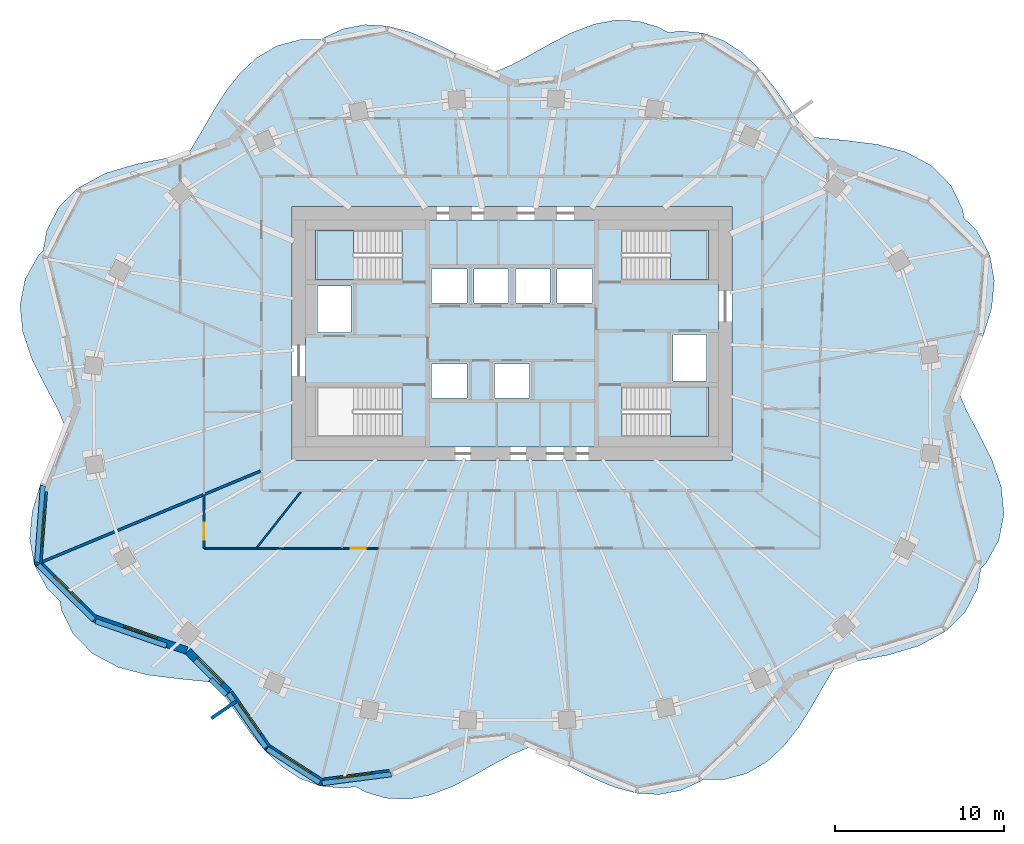
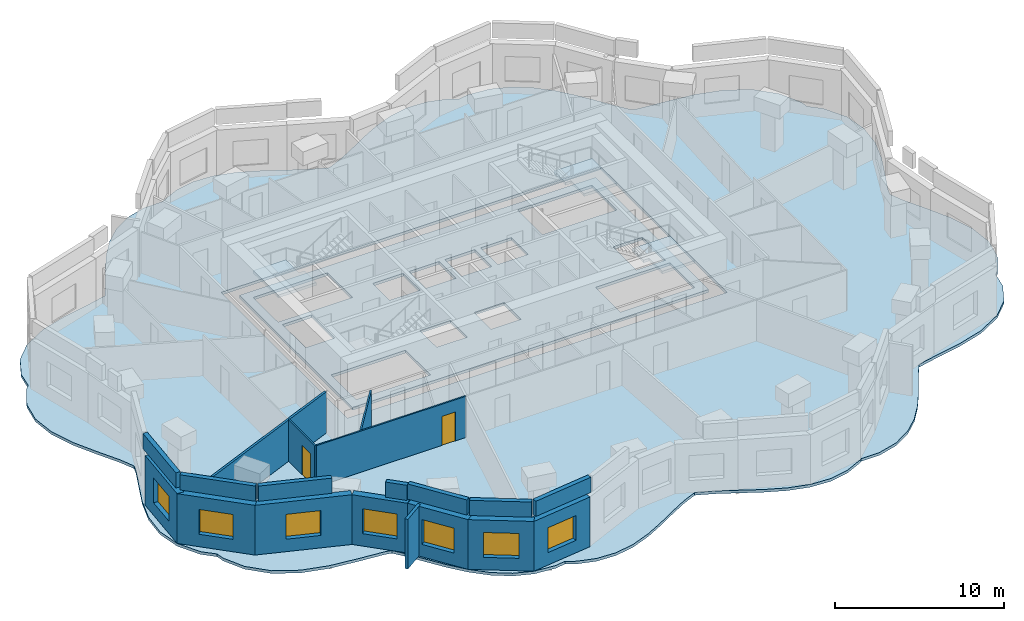
# One storey, part 3 of 11: 19 walls, 7 windows, 5 slabs, 2 doors, 9 openings, 3 elements without a shape of their own.
"""IFC4 building model written with IfcOpenShell, lengths in metres."""

from ifc_helpers import new_model, si_unit, direction, frame, frame_2d, origin, place, context, subcontext, project, spatial, polyline, rectangle, outline, extrude, material, layer, layer_set, type_object, element, fill, aggregate, save


model = new_model("IFC4")

# Units and contexts
model_context = context("Model", 3, precision=1e-05, world=origin(), true_north=direction((0.0, 1.0)))
body_context = subcontext(model_context, "Body", "Model", "MODEL_VIEW")
ifc_project = project(units=[si_unit("LENGTHUNIT", "METRE"), si_unit("AREAUNIT", "SQUARE_METRE"), si_unit("VOLUMEUNIT", "CUBIC_METRE"), si_unit("PLANEANGLEUNIT", "RADIAN"), si_unit("MASSUNIT", "GRAM", prefix="KILO")], contexts=[model_context])

# Site, building, storey
site_placement = place(None, origin())
site = spatial("IfcSite", under=ifc_project, at=site_placement, CompositionType="ELEMENT")
building_placement = place(site_placement, origin())
building = spatial("IfcBuilding", under=site, at=building_placement, Name="Rubra Terraces Tower", CompositionType="ELEMENT")
storey_placement = place(building_placement, frame((0.0, 0.0, 260.39990234375)))
storey = spatial("IfcBuildingStorey", under=building, at=storey_placement, Name="L64", CompositionType="ELEMENT", Elevation=260.39990234375)

# Slab
ifc_material_1 = material(Name="Concrete C40", Category="concrete")
ifc_layer_1 = layer(ifc_material_1, 0.199951171875)
ifc_layer_set_1 = layer_set([ifc_layer_1], Name="Concrete C40")
slab_type_1 = type_object("IfcSlabType", Name="Core floor slab 200 concrete", PredefinedType="FLOOR", material=ifc_layer_set_1)
slab_1_placement = place(storey_placement, frame((0.0, 0.0, -0.199951171875)))
element("IfcSlab", 1, at=slab_1_placement, inside=storey, type_object=slab_type_1, Name="CORE FLOOR SLAB L64", PredefinedType="FLOOR", context=body_context, shape_type="SweptSolid", body=[
    extrude(outline(polyline([(-12.199951171875, -2.199951171875), (-12.199951171875, 11.199951171875), (12.199951171875, 11.199951171875), (12.199951171875, -2.199951171875), (-12.199951171875, -2.199951171875)]), holes=[polyline([(11.597900390625, 1.347900390625), (6.501953125, 1.347900390625), (6.501953125, -1.597900390625), (11.597900390625, -1.597900390625), (11.597900390625, 1.347900390625)]), polyline([(11.597900390625, 7.652099609375), (11.597900390625, 10.597900390625), (6.501953125, 10.597900390625), (6.501953125, 7.652099609375), (11.597900390625, 7.652099609375)]), polyline([(9.5, 1.699951171875), (11.5, 1.699951171875), (11.5, 4.449951171875), (9.5, 4.449951171875), (9.5, 1.699951171875)]), polyline([(4.75, 6.300048828125), (4.75, 8.300048828125), (2.64990234375, 8.300048828125), (2.64990234375, 6.300048828125), (4.75, 6.300048828125)]), polyline([(2.25, 8.300048828125), (0.199951171875, 8.300048828125), (0.199951171875, 6.300048828125), (2.25, 6.300048828125), (2.25, 8.300048828125)]), polyline([(1.02490234375, 0.699951171875), (1.02490234375, 2.699951171875), (-1.02490234375, 2.699951171875), (-1.02490234375, 0.699951171875), (1.02490234375, 0.699951171875)]), polyline([(-0.199951171875, 6.300048828125), (-0.199951171875, 8.300048828125), (-2.25, 8.300048828125), (-2.25, 6.300048828125), (-0.199951171875, 6.300048828125)]), polyline([(-4.75, 8.300048828125), (-4.75, 6.300048828125), (-2.64990234375, 6.300048828125), (-2.64990234375, 8.300048828125), (-4.75, 8.300048828125)]), polyline([(-2.64990234375, 0.699951171875), (-2.64990234375, 2.699951171875), (-4.75, 2.699951171875), (-4.75, 0.699951171875), (-2.64990234375, 0.699951171875)]), polyline([(-11.597900390625, -1.597900390625), (-6.501953125, -1.597900390625), (-6.501953125, 1.347900390625), (-11.597900390625, 1.347900390625), (-11.597900390625, -1.597900390625)]), polyline([(-11.597900390625, 10.597900390625), (-11.597900390625, 7.652099609375), (-6.501953125, 7.652099609375), (-6.501953125, 10.597900390625), (-11.597900390625, 10.597900390625)]), polyline([(-9.5, 4.550048828125), (-9.5, 7.300048828125), (-11.5, 7.300048828125), (-11.5, 4.550048828125), (-9.5, 4.550048828125)])]), origin(), (0.0, 0.0, 1.0), 0.199951171875),
])

# Stair, slab
stair_type = type_object("IfcStairType", Name="Core stair 1400", PredefinedType="HALF_TURN_STAIR", material=ifc_material_1)
stair_1_placement = place(storey_placement, origin())
stair_1 = element("IfcStair", 2, at=stair_1_placement, inside=storey, type_object=stair_type, Name="L64 Exit stair S2", PredefinedType="HALF_TURN_STAIR")
ifc_layer_2 = layer(ifc_material_1, 0.199951171875)
ifc_layer_set_2 = layer_set([ifc_layer_2], Name="Concrete C40")
slab_type_2 = type_object("IfcSlabType", Name="Core stair landing 200", PredefinedType="LANDING", material=ifc_layer_set_2)
slab_2_placement = place(storey_placement, frame((0.0, 0.0, 1.75)))
slab_2 = element("IfcSlab", 3, at=slab_2_placement, type_object=slab_type_2, Name="S2 landing 1", PredefinedType="LANDING", context=body_context, shape_type="SweptSolid", body=[
    extrude(outline(polyline([(-8.97998046875, 9.050048828125), (-8.97998046875, 7.64990234375), (-9.3798828125, 7.64990234375), (-11.60009765625, 7.64990234375), (-11.60009765625, 10.60009765625), (-9.3798828125, 10.60009765625), (-9.360107421875, 10.60009765625), (-9.35791015625, 10.60009765625), (-9.35791015625, 9.199951171875), (-9.360107421875, 9.199951171875), (-9.360107421875, 9.050048828125), (-8.97998046875, 9.050048828125)])), origin(), (0.0, 0.0, 1.0), 0.2001953125),
])
aggregate(stair_1, [slab_2])

stair_2_placement = place(storey_placement, origin())
stair_2 = element("IfcStair", 4, at=stair_2_placement, inside=storey, type_object=stair_type, Name="L64 Exit stair S3", PredefinedType="HALF_TURN_STAIR")
slab_3_placement = place(storey_placement, frame((0.0, 0.0, 1.75)))
slab_3 = element("IfcSlab", 5, at=slab_3_placement, type_object=slab_type_2, Name="S3 landing 1", PredefinedType="LANDING", context=body_context, shape_type="SweptSolid", body=[
    extrude(outline(polyline([(9.360107421875, 9.050048828125), (9.360107421875, 9.199951171875), (8.97998046875, 9.199951171875), (8.97998046875, 10.60009765625), (9.360107421875, 10.60009765625), (9.3798828125, 10.60009765625), (11.60009765625, 10.60009765625), (11.60009765625, 7.64990234375), (9.3798828125, 7.64990234375), (9.35791015625, 7.64990234375), (9.35791015625, 9.050048828125), (9.360107421875, 9.050048828125)])), origin(), (0.0, 0.0, 1.0), 0.2001953125),
])
aggregate(stair_2, [slab_3])

stair_3_placement = place(storey_placement, origin())
stair_3 = element("IfcStair", 6, at=stair_3_placement, inside=storey, type_object=stair_type, Name="L64 Exit stair S4", PredefinedType="HALF_TURN_STAIR")
slab_4_placement = place(storey_placement, frame((0.0, 0.0, 1.75)))
slab_4 = element("IfcSlab", 7, at=slab_4_placement, type_object=slab_type_2, Name="S4 landing 1", PredefinedType="LANDING", context=body_context, shape_type="SweptSolid", body=[
    extrude(outline(polyline([(9.360107421875, -0.199951171875), (9.360107421875, -0.050048828125), (8.97998046875, -0.050048828125), (8.97998046875, 1.35009765625), (9.360107421875, 1.35009765625), (9.3798828125, 1.35009765625), (11.60009765625, 1.35009765625), (11.60009765625, -1.60009765625), (9.3798828125, -1.60009765625), (9.360107421875, -1.60009765625), (9.35791015625, -1.60009765625), (9.35791015625, -0.199951171875), (9.360107421875, -0.199951171875)])), origin(), (0.0, 0.0, 1.0), 0.2001953125),
])
aggregate(stair_3, [slab_4])

# Slab
ifc_layer_3 = layer(ifc_material_1, 0.199951171875)
ifc_layer_set_3 = layer_set([ifc_layer_3], Name="Concrete C40")
slab_type_3 = type_object("IfcSlabType", Name="FLOOR SLAB 200 COMPOSITE", PredefinedType="FLOOR", material=ifc_layer_set_3)
slab_5_placement = place(storey_placement, frame((0.0, 0.0, -0.199951171875)))
element("IfcSlab", 8, at=slab_5_placement, inside=storey, type_object=slab_type_3, Name="FLOOR SLAB L64", PredefinedType="FLOOR", context=body_context, shape_type="SweptSolid", body=[
    extrude(outline(polyline([(-3.528076171875, -22.27490234375), (-2.3291015625, -21.662109375), (-1.156005859375, -20.9990234375), (0.0, -20.383056640625), (0.97802734375, -19.965087890625), (1.10009765625, -19.9990234375), (2.2060546875, -20.471923828125), (3.3330078125, -21.044921875), (4.64990234375, -21.718994140625), (5.9990234375, -22.298095703125), (7.364990234375, -22.66796875), (8.68798828125, -22.74609375), (9.969970703125, -22.5029296875), (11.180908203125, -21.943115234375), (11.287109375, -21.865966796875), (12.552978515625, -21.85595703125), (13.886962890625, -21.4951171875), (15.10009765625, -20.782958984375), (16.069091796875, -19.883056640625), (16.9140625, -18.81005859375), (17.65087890625, -17.65087890625), (18.34912109375, -16.429931640625), (19.02294921875, -15.304931640625), (19.14306640625, -15.14306640625), (20.443115234375, -14.85302734375), (22.22412109375, -14.506103515625), (24.031982421875, -13.967041015625), (25.6650390625, -13.076904296875), (26.780029296875, -11.968994140625), (27.4951171875, -10.587890625), (27.708984375, -9.381103515625), (28.0, -9.097900390625), (28.77099609375, -7.715087890625), (29.072021484375, -6.176025390625), (28.912109375, -4.5791015625), (28.365966796875, -2.970947265625), (27.60498046875, -1.447998046875), (26.8330078125, 0.0), (26.429931640625, 0.955078125), (26.56689453125, 1.409912109375), (27.200927734375, 2.863037109375), (27.864990234375, 4.4130859375), (28.345947265625, 6.0), (28.501953125, 7.617919921875), (28.22607421875, 9.1708984375), (27.449951171875, 10.60400390625), (26.719970703125, 11.302001953125), (26.618896484375, 11.860107421875), (25.9541015625, 13.22412109375), (24.791015625, 14.4169921875), (23.280029296875, 15.22412109375), (21.576904296875, 15.677001953125), (19.7109375, 15.906982421875), (17.967041015625, 16.08203125), (17.56591796875, 16.169921875), (16.9560546875, 16.9560546875), (16.235107421875, 18.0), (15.468017578125, 19.083984375), (14.62109375, 20.1240234375), (13.6298828125, 21.072998046875), (12.529052734375, 21.798095703125), (11.3330078125, 22.240966796875), (9.931884765625, 22.3759765625), (8.489013671875, 22.1650390625), (9.2470703125, 22.27587890625), (8.634033203125, 22.60888671875), (7.4599609375, 22.958984375), (6.156982421875, 23.02197265625), (4.837890625, 22.77490234375), (3.528076171875, 22.27490234375), (2.3291015625, 21.662109375), (1.156005859375, 20.9990234375), (0.0, 20.383056640625), (-0.97802734375, 19.965087890625), (-1.10009765625, 19.9990234375), (-2.2060546875, 20.471923828125), (-3.3330078125, 21.044921875), (-4.64990234375, 21.718994140625), (-5.9990234375, 22.298095703125), (-7.364990234375, 22.66796875), (-8.68798828125, 22.74609375), (-9.969970703125, 22.5029296875), (-11.180908203125, 21.943115234375), (-11.287109375, 21.865966796875), (-12.552978515625, 21.85595703125), (-13.886962890625, 21.4951171875), (-15.10009765625, 20.782958984375), (-16.069091796875, 19.883056640625), (-16.9140625, 18.81005859375), (-17.65087890625, 17.65087890625), (-18.34912109375, 16.429931640625), (-19.02294921875, 15.304931640625), (-19.14306640625, 15.14306640625), (-20.443115234375, 14.85302734375), (-22.22412109375, 14.506103515625), (-24.031982421875, 13.967041015625), (-25.6650390625, 13.076904296875), (-26.780029296875, 11.968994140625), (-27.4951171875, 10.587890625), (-27.708984375, 9.381103515625), (-28.0, 9.097900390625), (-28.77099609375, 7.715087890625), (-29.072021484375, 6.176025390625), (-28.912109375, 4.5791015625), (-28.365966796875, 2.970947265625), (-27.60498046875, 1.447998046875), (-26.8330078125, 0.0), (-26.429931640625, -0.955078125), (-26.56689453125, -1.409912109375), (-27.200927734375, -2.863037109375), (-27.864990234375, -4.4130859375), (-28.345947265625, -6.0), (-28.501953125, -7.617919921875), (-28.22607421875, -9.1708984375), (-27.449951171875, -10.60400390625), (-26.719970703125, -11.302001953125), (-26.618896484375, -11.860107421875), (-25.9541015625, -13.22412109375), (-24.791015625, -14.4169921875), (-23.280029296875, -15.22412109375), (-21.576904296875, -15.677001953125), (-19.7109375, -15.906982421875), (-17.967041015625, -16.08203125), (-17.56591796875, -16.169921875), (-16.9560546875, -16.9560546875), (-16.235107421875, -18.0), (-15.468017578125, -19.083984375), (-14.62109375, -20.1240234375), (-13.6298828125, -21.072998046875), (-12.529052734375, -21.798095703125), (-11.3330078125, -22.240966796875), (-9.931884765625, -22.3759765625), (-8.489013671875, -22.1650390625), (-9.2470703125, -22.27587890625), (-8.634033203125, -22.60888671875), (-7.4599609375, -22.958984375), (-6.156982421875, -23.02197265625), (-4.837890625, -22.77490234375), (-3.528076171875, -22.27490234375)]), holes=[polyline([(13.0, 12.0), (13.0, -3.0), (-13.0, -3.0), (-13.0, 12.0), (13.0, 12.0)])]), origin(), (0.0, 0.0, 1.0), 0.199951171875),
])

# Wall, opening, window
ifc_material_2 = material(Name="Brick masonry red-brown", Category="masonry")
ifc_layer_4 = layer(ifc_material_2, 0.449951171875)
ifc_layer_set_4 = layer_set([ifc_layer_4], Name="Brick masonry red-brown")
wall_type_1 = type_object("IfcWallType", Name="Brick facade wall 450", PredefinedType="SOLIDWALL", material=ifc_layer_set_4)
wall_1_placement = place(storey_placement, frame((-27.671142578125, -4.831298828125, 0.0), z_axis=(0.0, 0.0, 1.0), x_axis=(-0.075658122047, -0.997133816781, 0.0)))
wall_1 = element("IfcWall", 9, at=wall_1_placement, inside=storey, type_object=wall_type_1, Name="Facade wall L64 bay 22", PredefinedType="SOLIDWALL", context=body_context, shape_type="SweptSolid", body=[
    extrude(rectangle(XDim=4.369140625, YDim=0.449951171875, at=frame_2d((2.1845703125, 0.0))), origin(), (0.0, 0.0, 1.0), 3.60009765625),
])
opening_1_placement = place(wall_1_placement, frame((1.134521484375, 0.0, 0.89990234375)))
opening_1 = element("IfcOpeningElement", 10, at=opening_1_placement, cuts=wall_1, Name="Opening W1Z", PredefinedType="OPENING", context=body_context, shape_type="SweptSolid", body=[
    extrude(rectangle(XDim=2.10009765625, YDim=1.800048828125, at=frame_2d((1.050048828125, 0.89990234375))), frame((0.0, 0.23486328125, 0.0), z_axis=(0.0, -1.0, 0.0), x_axis=(1.0, 0.0, 0.0)), (0.0, 0.0, 1.0), 0.469970703125),
])
ifc_material_3 = material(Name="Clear glass in aluminium frame", Category="aluminium")
window_type = type_object("IfcWindowType", Name="Fixed deep-set window under transfer level 2100 x 1800", PartitioningType="SINGLE_PANEL", PredefinedType="WINDOW", material=ifc_material_3)
window_1_placement = place(opening_1_placement, origin())
window_1 = element("IfcWindow", 11, at=window_1_placement, inside=storey, type_object=window_type, Name="Window L64 bay 22", OverallHeight=1.800048828125, OverallWidth=2.10009765625, PartitioningType="SINGLE_PANEL", PredefinedType="WINDOW", context=body_context, shape_type="SweptSolid", body=[
    extrude(rectangle(XDim=2.10009765625, YDim=1.800048828125, at=frame_2d((1.050048828125, 0.89990234375))), frame((0.0, 0.135009765625, 0.0), z_axis=(0.0, -1.0, 0.0), x_axis=(1.0, 0.0, 0.0)), (0.0, 0.0, 1.0), 0.06005859375),
])
fill(opening_1, window_1)

wall_2_placement = place(storey_placement, frame((-28.06787109375, -9.010986328125, 0.0), z_axis=(0.0, 0.0, 1.0), x_axis=(0.711293453435, -0.702895172199, 0.0)))
wall_2 = element("IfcWall", 12, at=wall_2_placement, inside=storey, type_object=wall_type_1, Name="Facade wall L64 bay 23", PredefinedType="SOLIDWALL", context=body_context, shape_type="SweptSolid", body=[
    extrude(rectangle(XDim=4.767578125, YDim=0.449951171875, at=frame_2d((2.3837890625, 0.0))), origin(), (0.0, 0.0, 1.0), 3.60009765625),
])
opening_2_placement = place(wall_2_placement, frame((1.333740234375, 0.0, 0.89990234375)))
opening_2 = element("IfcOpeningElement", 13, at=opening_2_placement, cuts=wall_2, Name="Opening W1Z", PredefinedType="OPENING", context=body_context, shape_type="SweptSolid", body=[
    extrude(rectangle(XDim=2.10009765625, YDim=1.800048828125, at=frame_2d((1.050048828125, 0.89990234375))), frame((0.0, 0.23486328125, 0.0), z_axis=(0.0, -1.0, 0.0), x_axis=(1.0, 0.0, 0.0)), (0.0, 0.0, 1.0), 0.469970703125),
])
window_2_placement = place(opening_2_placement, origin())
window_2 = element("IfcWindow", 14, at=window_2_placement, inside=storey, type_object=window_type, Name="Window L64 bay 23", OverallHeight=1.800048828125, OverallWidth=2.10009765625, PartitioningType="SINGLE_PANEL", PredefinedType="WINDOW", context=body_context, shape_type="SweptSolid", body=[
    extrude(rectangle(XDim=2.10009765625, YDim=1.800048828125, at=frame_2d((1.050048828125, 0.89990234375))), frame((0.0, 0.135009765625, 0.0), z_axis=(0.0, -1.0, 0.0), x_axis=(1.0, 0.0, 0.0)), (0.0, 0.0, 1.0), 0.06005859375),
])
fill(opening_2, window_2)

wall_3_placement = place(storey_placement, frame((-24.760986328125, -12.309814453125, 0.0), z_axis=(0.0, 0.0, 1.0), x_axis=(0.944397305248, -0.328806523414, 0.0)))
wall_3 = element("IfcWall", 15, at=wall_3_placement, inside=storey, type_object=wall_type_1, Name="Facade wall L64 bay 24", PredefinedType="SOLIDWALL", context=body_context, shape_type="SweptSolid", body=[
    extrude(rectangle(XDim=5.862060546875, YDim=0.449951171875, at=frame_2d((2.93115234375, 0.0))), origin(), (0.0, 0.0, 1.0), 3.60009765625),
])
opening_3_placement = place(wall_3_placement, frame((1.881103515625, 0.0, 0.89990234375)))
opening_3 = element("IfcOpeningElement", 16, at=opening_3_placement, cuts=wall_3, Name="Opening W1Z", PredefinedType="OPENING", context=body_context, shape_type="SweptSolid", body=[
    extrude(rectangle(XDim=2.10009765625, YDim=1.800048828125, at=frame_2d((1.050048828125, 0.89990234375))), frame((0.0, 0.23486328125, 0.0), z_axis=(0.0, -1.0, 0.0), x_axis=(1.0, 0.0, 0.0)), (0.0, 0.0, 1.0), 0.469970703125),
])
window_3_placement = place(opening_3_placement, origin())
window_3 = element("IfcWindow", 17, at=window_3_placement, inside=storey, type_object=window_type, Name="Window L64 bay 24", OverallHeight=1.800048828125, OverallWidth=2.10009765625, PartitioningType="SINGLE_PANEL", PredefinedType="WINDOW", context=body_context, shape_type="SweptSolid", body=[
    extrude(rectangle(XDim=2.10009765625, YDim=1.800048828125, at=frame_2d((1.050048828125, 0.89990234375))), frame((0.0, 0.135009765625, 0.0), z_axis=(0.0, -1.0, 0.0), x_axis=(1.0, 0.0, 0.0)), (0.0, 0.0, 1.0), 0.06005859375),
])
fill(opening_3, window_3)

wall_4_placement = place(storey_placement, frame((-19.145263671875, -14.285400390625, 0.0), z_axis=(0.0, 0.0, 1.0), x_axis=(0.707427521052, -0.706785895769, 0.0)))
wall_4 = element("IfcWall", 18, at=wall_4_placement, inside=storey, type_object=wall_type_1, Name="Facade wall L64 bay 25", PredefinedType="SOLIDWALL", context=body_context, shape_type="SweptSolid", body=[
    extrude(rectangle(XDim=3.424560546875, YDim=0.449951171875, at=frame_2d((1.71240234375, 0.0))), origin(), (0.0, 0.0, 1.0), 3.60009765625),
])
opening_4_placement = place(wall_4_placement, frame((0.662353515625, 0.0, 0.89990234375)))
opening_4 = element("IfcOpeningElement", 19, at=opening_4_placement, cuts=wall_4, Name="Opening W1Z", PredefinedType="OPENING", context=body_context, shape_type="SweptSolid", body=[
    extrude(rectangle(XDim=2.10009765625, YDim=1.800048828125, at=frame_2d((1.050048828125, 0.89990234375))), frame((0.0, 0.23486328125, 0.0), z_axis=(0.0, -1.0, 0.0), x_axis=(1.0, 0.0, 0.0)), (0.0, 0.0, 1.0), 0.469970703125),
])
window_4_placement = place(opening_4_placement, origin())
window_4 = element("IfcWindow", 20, at=window_4_placement, inside=storey, type_object=window_type, Name="Window L64 bay 25", OverallHeight=1.800048828125, OverallWidth=2.10009765625, PartitioningType="SINGLE_PANEL", PredefinedType="WINDOW", context=body_context, shape_type="SweptSolid", body=[
    extrude(rectangle(XDim=2.10009765625, YDim=1.800048828125, at=frame_2d((1.050048828125, 0.89990234375))), frame((0.0, 0.135009765625, 0.0), z_axis=(0.0, -1.0, 0.0), x_axis=(1.0, 0.0, 0.0)), (0.0, 0.0, 1.0), 0.06005859375),
])
fill(opening_4, window_4)

wall_5_placement = place(storey_placement, frame((-16.695068359375, -16.73681640625, 0.0), z_axis=(0.0, 0.0, 1.0), x_axis=(0.569652445465, -0.821885692402, 0.0)))
wall_5 = element("IfcWall", 21, at=wall_5_placement, inside=storey, type_object=wall_type_1, Name="Facade wall L64 bay 26", PredefinedType="SOLIDWALL", context=body_context, shape_type="SweptSolid", body=[
    extrude(rectangle(XDim=3.958740234375, YDim=0.449951171875, at=frame_2d((1.9794921875, 0.0))), origin(), (0.0, 0.0, 1.0), 3.60009765625),
])
opening_5_placement = place(wall_5_placement, frame((0.929443359375, 0.0, 0.89990234375)))
opening_5 = element("IfcOpeningElement", 22, at=opening_5_placement, cuts=wall_5, Name="Opening W1Z", PredefinedType="OPENING", context=body_context, shape_type="SweptSolid", body=[
    extrude(rectangle(XDim=2.10009765625, YDim=1.800048828125, at=frame_2d((1.050048828125, 0.89990234375))), frame((0.0, 0.23486328125, 0.0), z_axis=(0.0, -1.0, 0.0), x_axis=(1.0, 0.0, 0.0)), (0.0, 0.0, 1.0), 0.469970703125),
])
window_5_placement = place(opening_5_placement, origin())
window_5 = element("IfcWindow", 23, at=window_5_placement, inside=storey, type_object=window_type, Name="Window L64 bay 26", OverallHeight=1.800048828125, OverallWidth=2.10009765625, PartitioningType="SINGLE_PANEL", PredefinedType="WINDOW", context=body_context, shape_type="SweptSolid", body=[
    extrude(rectangle(XDim=2.10009765625, YDim=1.800048828125, at=frame_2d((1.050048828125, 0.89990234375))), frame((0.0, 0.135009765625, 0.0), z_axis=(0.0, -1.0, 0.0), x_axis=(1.0, 0.0, 0.0)), (0.0, 0.0, 1.0), 0.06005859375),
])
fill(opening_5, window_5)

wall_6_placement = place(storey_placement, frame((-14.499267578125, -19.934814453125, 0.0), z_axis=(0.0, 0.0, 1.0), x_axis=(0.84080910763, -0.541331732422, 0.0)))
wall_6 = element("IfcWall", 24, at=wall_6_placement, inside=storey, type_object=wall_type_1, Name="Facade wall L64 bay 27", PredefinedType="SOLIDWALL", context=body_context, shape_type="SweptSolid", body=[
    extrude(rectangle(XDim=3.91064453125, YDim=0.449951171875, at=frame_2d((1.955322265625, 0.0))), origin(), (0.0, 0.0, 1.0), 3.60009765625),
])
opening_6_placement = place(wall_6_placement, frame((0.9052734375, 0.0, 0.89990234375)))
opening_6 = element("IfcOpeningElement", 25, at=opening_6_placement, cuts=wall_6, Name="Opening W1Z", PredefinedType="OPENING", context=body_context, shape_type="SweptSolid", body=[
    extrude(rectangle(XDim=2.10009765625, YDim=1.800048828125, at=frame_2d((1.050048828125, 0.89990234375))), frame((0.0, 0.23486328125, 0.0), z_axis=(0.0, -1.0, 0.0), x_axis=(1.0, 0.0, 0.0)), (0.0, 0.0, 1.0), 0.469970703125),
])
window_6_placement = place(opening_6_placement, origin())
window_6 = element("IfcWindow", 26, at=window_6_placement, inside=storey, type_object=window_type, Name="Window L64 bay 27", OverallHeight=1.800048828125, OverallWidth=2.10009765625, PartitioningType="SINGLE_PANEL", PredefinedType="WINDOW", context=body_context, shape_type="SweptSolid", body=[
    extrude(rectangle(XDim=2.10009765625, YDim=1.800048828125, at=frame_2d((1.050048828125, 0.89990234375))), frame((0.0, 0.135009765625, 0.0), z_axis=(0.0, -1.0, 0.0), x_axis=(1.0, 0.0, 0.0)), (0.0, 0.0, 1.0), 0.06005859375),
])
fill(opening_6, window_6)

wall_7_placement = place(storey_placement, frame((-11.36181640625, -22.017822265625, 0.0), z_axis=(0.0, 0.0, 1.0), x_axis=(0.991724958022, 0.128380713645, 0.0)))
wall_7 = element("IfcWall", 27, at=wall_7_placement, inside=storey, type_object=wall_type_1, Name="Facade wall L64 bay 28", PredefinedType="SOLIDWALL", context=body_context, shape_type="SweptSolid", body=[
    extrude(rectangle(XDim=4.181884765625, YDim=0.449951171875, at=frame_2d((2.0908203125, 0.0))), origin(), (0.0, 0.0, 1.0), 3.60009765625),
])
opening_7_placement = place(wall_7_placement, frame((1.041015625, 0.0, 0.89990234375)))
opening_7 = element("IfcOpeningElement", 28, at=opening_7_placement, cuts=wall_7, Name="Opening W1Z", PredefinedType="OPENING", context=body_context, shape_type="SweptSolid", body=[
    extrude(rectangle(XDim=2.10009765625, YDim=1.800048828125, at=frame_2d((1.050048828125, 0.89990234375))), frame((0.0, 0.23486328125, 0.0), z_axis=(0.0, -1.0, 0.0), x_axis=(1.0, 0.0, 0.0)), (0.0, 0.0, 1.0), 0.469970703125),
])
window_7_placement = place(opening_7_placement, origin())
window_7 = element("IfcWindow", 29, at=window_7_placement, inside=storey, type_object=window_type, Name="Window L64 bay 28", OverallHeight=1.800048828125, OverallWidth=2.10009765625, PartitioningType="SINGLE_PANEL", PredefinedType="WINDOW", context=body_context, shape_type="SweptSolid", body=[
    extrude(rectangle(XDim=2.10009765625, YDim=1.800048828125, at=frame_2d((1.050048828125, 0.89990234375))), frame((0.0, 0.135009765625, 0.0), z_axis=(0.0, -1.0, 0.0), x_axis=(1.0, 0.0, 0.0)), (0.0, 0.0, 1.0), 0.06005859375),
])
fill(opening_7, window_7)

# Walls
ifc_layer_5 = layer(ifc_material_2, 0.300048828125)
ifc_layer_set_5 = layer_set([ifc_layer_5], Name="Brick masonry red-brown")
wall_type_2 = type_object("IfcWallType", Name="Brick parapet 300", PredefinedType="PARAPET", material=ifc_layer_set_5)
wall_8_placement = place(storey_placement, frame((-27.72119140625, -4.498779296875, 3.900146484375), z_axis=(0.0, 0.0, 1.0), x_axis=(-0.075645081273, -0.997134806172, 0.0)))
element("IfcWall", 30, at=wall_8_placement, inside=storey, type_object=wall_type_2, Name="Parapet L64 bay 22", PredefinedType="PARAPET", context=body_context, shape_type="SweptSolid", body=[
    extrude(rectangle(XDim=4.528076171875, YDim=0.300048828125, at=frame_2d((2.26416015625, 0.0))), origin(), (0.0, 0.0, 1.0), 1.099853515625),
])
wall_9_placement = place(storey_placement, frame((-28.00048828125, -9.18310546875, 3.900146484375), z_axis=(0.0, 0.0, 1.0), x_axis=(0.711291435321, -0.702897214419, 0.0)))
element("IfcWall", 31, at=wall_9_placement, inside=storey, type_object=wall_type_2, Name="Parapet L64 bay 23", PredefinedType="PARAPET", context=body_context, shape_type="SweptSolid", body=[
    extrude(rectangle(XDim=4.62451171875, YDim=0.300048828125, at=frame_2d((2.312255859375, 0.0))), origin(), (0.0, 0.0, 1.0), 1.099853515625),
])
wall_10_placement = place(storey_placement, frame((-24.605224609375, -12.49951171875, 3.900146484375), z_axis=(0.0, 0.0, 1.0), x_axis=(0.944388328268, -0.328832305943, 0.0)))
element("IfcWall", 32, at=wall_10_placement, inside=storey, type_object=wall_type_2, Name="Parapet L64 bay 24", PredefinedType="PARAPET", context=body_context, shape_type="SweptSolid", body=[
    extrude(rectangle(XDim=4.435302734375, YDim=0.300048828125, at=frame_2d((2.2177734375, 0.0))), origin(), (0.0, 0.0, 1.0), 1.099853515625),
])
wall_11_placement = place(storey_placement, frame((-17.811279296875, -15.93603515625, 3.900146484375), z_axis=(0.0, 0.0, 1.0), x_axis=(0.707385370732, -0.706828081837, 0.0)))
element("IfcWall", 33, at=wall_11_placement, inside=storey, type_object=wall_type_2, Name="Parapet L64 bay 25", PredefinedType="PARAPET", context=body_context, shape_type="SweptSolid", body=[
    extrude(rectangle(XDim=1.314208984375, YDim=0.300048828125, at=frame_2d((0.6572265625, 0.0))), origin(), (0.0, 0.0, 1.0), 1.099853515625),
])
wall_12_placement = place(storey_placement, frame((-16.75537109375, -16.781494140625, 3.900146484375), z_axis=(0.0, 0.0, 1.0), x_axis=(0.569678588486, -0.821867571948, 0.0)))
element("IfcWall", 34, at=wall_12_placement, inside=storey, type_object=wall_type_2, Name="Parapet L64 bay 26", PredefinedType="PARAPET", context=body_context, shape_type="SweptSolid", body=[
    extrude(rectangle(XDim=3.873291015625, YDim=0.300048828125, at=frame_2d((1.9365234375, 0.0))), origin(), (0.0, 0.0, 1.0), 1.099853515625),
])
wall_13_placement = place(storey_placement, frame((-14.464599609375, -20.04638671875, 3.900146484375), z_axis=(0.0, 0.0, 1.0), x_axis=(0.840809836002, -0.541330601095, 0.0)))
element("IfcWall", 35, at=wall_13_placement, inside=storey, type_object=wall_type_2, Name="Parapet L64 bay 27", PredefinedType="PARAPET", context=body_context, shape_type="SweptSolid", body=[
    extrude(rectangle(XDim=3.681640625, YDim=0.300048828125, at=frame_2d((1.8408203125, 0.0))), origin(), (0.0, 0.0, 1.0), 1.099853515625),
])
wall_14_placement = place(storey_placement, frame((-11.2138671875, -22.07421875, 3.900146484375), z_axis=(0.0, 0.0, 1.0), x_axis=(0.991727449614, 0.128361464939, 0.0)))
element("IfcWall", 36, at=wall_14_placement, inside=storey, type_object=wall_type_2, Name="Parapet L64 bay 28", PredefinedType="PARAPET", context=body_context, shape_type="SweptSolid", body=[
    extrude(rectangle(XDim=4.110107421875, YDim=0.300048828125, at=frame_2d((2.05517578125, 0.0))), origin(), (0.0, 0.0, 1.0), 1.099853515625),
])
ifc_layer_6 = layer(ifc_material_2, 0.199951171875)
ifc_layer_set_6 = layer_set([ifc_layer_6], Name="Brick masonry red-brown")
wall_type_3 = type_object("IfcWallType", Name="Brick wind fin 200", PredefinedType="SOLIDWALL", material=ifc_layer_set_6)
wall_15_placement = place(storey_placement, frame((-16.322021484375, -17.2529296875, 0.0), z_axis=(0.0, 0.0, 1.0), x_axis=(-0.824440606412, -0.565948483962, 0.0)))
element("IfcWall", 37, at=wall_15_placement, inside=storey, type_object=wall_type_3, Name="Wind fin L64 16", PredefinedType="SOLIDWALL", context=body_context, shape_type="SweptSolid", body=[
    extrude(rectangle(XDim=1.75, YDim=0.199951171875, at=frame_2d((0.875, 0.0))), origin(), (0.0, 0.0, 1.0), 3.60009765625),
])

# Wall, opening, door
ifc_material_4 = material(Name="Plasterboard on steel stud", Category="steel")
ifc_layer_7 = layer(ifc_material_4, 0.10009765625)
ifc_layer_set_7 = layer_set([ifc_layer_7], Name="Plasterboard on steel stud")
wall_type_4 = type_object("IfcWallType", Name="ROOM PARTITION 100", PredefinedType="PARTITIONING", material=ifc_layer_set_7)
wall_16_placement = place(storey_placement, frame((-18.199951171875, -8.199951171875, 0.0), z_axis=(0.0, 0.0, 1.0), x_axis=(0.0, 1.0, 0.0)))
wall_16 = element("IfcWall", 38, at=wall_16_placement, inside=storey, type_object=wall_type_4, Name="PARTITION", PredefinedType="PARTITIONING", context=body_context, shape_type="SweptSolid", body=[
    extrude(rectangle(XDim=3.157958984375, YDim=0.10009765625, at=frame_2d((1.5791015625, 0.0))), origin(), (0.0, 0.0, 1.0), 2.984130859375),
])
opening_8_placement = place(wall_16_placement, frame((0.5, 0.0, 0.0)))
opening_8 = element("IfcOpeningElement", 39, at=opening_8_placement, cuts=wall_16, Name="Opening 64-117", PredefinedType="OPENING", context=body_context, shape_type="SweptSolid", body=[
    extrude(rectangle(XDim=1.0, YDim=2.10009765625, at=frame_2d((0.5, 1.050048828125))), frame((0.0, 0.06005859375, 0.0), z_axis=(0.0, -1.0, 0.0), x_axis=(1.0, 0.0, 0.0)), (0.0, 0.0, 1.0), 0.1201171875),
])
ifc_material_5 = material(Name="Painted timber door leaf", Category="wood")
door_type_1 = type_object("IfcDoorType", Name="ROOM DOOR 1000 X 2100", OperationType="SINGLE_SWING_LEFT", PredefinedType="DOOR", material=ifc_material_5)
door_1_placement = place(opening_8_placement, origin())
door_1 = element("IfcDoor", 40, at=door_1_placement, inside=storey, type_object=door_type_1, Name="DOOR 64-117", OperationType="SINGLE_SWING_RIGHT", OverallHeight=2.10009765625, OverallWidth=1.0, PredefinedType="DOOR", context=body_context, shape_type="SweptSolid", body=[
    extrude(rectangle(XDim=1.0, YDim=2.10009765625, at=frame_2d((0.5, 1.050048828125))), frame((0.0, 0.02490234375, 0.0), z_axis=(0.0, -1.0, 0.0), x_axis=(1.0, 0.0, 0.0)), (0.0, 0.0, 1.0), 0.050048828125),
])
fill(opening_8, door_1)

wall_17_placement = place(storey_placement, frame((-7.906494140625, -8.199951171875, 0.0), z_axis=(0.0, 0.0, 1.0), x_axis=(-1.0, 0.0, 0.0)))
wall_17 = element("IfcWall", 41, at=wall_17_placement, inside=storey, type_object=wall_type_4, Name="PARTITION", PredefinedType="PARTITIONING", context=body_context, shape_type="SweptSolid", body=[
    extrude(rectangle(XDim=10.243408203125, YDim=0.10009765625, at=frame_2d((5.12158203125, 0.0))), origin(), (0.0, 0.0, 1.0), 2.984130859375),
])
opening_9_placement = place(wall_17_placement, frame((0.735107421875, 0.0, 0.0)))
opening_9 = element("IfcOpeningElement", 42, at=opening_9_placement, cuts=wall_17, Name="Opening 64-119", PredefinedType="OPENING", context=body_context, shape_type="SweptSolid", body=[
    extrude(rectangle(XDim=0.89990234375, YDim=2.10009765625, at=frame_2d((0.449951171875, 1.050048828125))), frame((0.0, 0.06005859375, 0.0), z_axis=(0.0, -1.0, 0.0), x_axis=(1.0, 0.0, 0.0)), (0.0, 0.0, 1.0), 0.1201171875),
])
door_type_2 = type_object("IfcDoorType", Name="ROOM DOOR 900 X 2100", OperationType="SINGLE_SWING_LEFT", PredefinedType="DOOR", material=ifc_material_5)
door_2_placement = place(opening_9_placement, origin())
door_2 = element("IfcDoor", 43, at=door_2_placement, inside=storey, type_object=door_type_2, Name="DOOR 64-119", OperationType="SINGLE_SWING_LEFT", OverallHeight=2.10009765625, OverallWidth=0.89990234375, PredefinedType="DOOR", context=body_context, shape_type="SweptSolid", body=[
    extrude(rectangle(XDim=0.89990234375, YDim=2.10009765625, at=frame_2d((0.449951171875, 1.050048828125))), frame((0.0, 0.02490234375, 0.0), z_axis=(0.0, -1.0, 0.0), x_axis=(1.0, 0.0, 0.0)), (0.0, 0.0, 1.0), 0.050048828125),
])
fill(opening_9, door_2)

# Walls
wall_18_placement = place(storey_placement, frame((-12.47802734375, -4.85888671875, 0.0), z_axis=(0.0, 0.0, 1.0), x_axis=(-0.619077405811, -0.785329972441, 0.0)))
element("IfcWall", 44, at=wall_18_placement, inside=storey, type_object=wall_type_4, Name="PARTITION", PredefinedType="PARTITIONING", context=body_context, shape_type="SweptSolid", body=[
    extrude(rectangle(XDim=4.204345703125, YDim=0.10009765625, at=frame_2d((2.10205078125, 0.0))), origin(), (0.0, 0.0, 1.0), 2.984130859375),
])
ifc_layer_8 = layer(ifc_material_4, 0.14990234375)
ifc_layer_set_8 = layer_set([ifc_layer_8], Name="Plasterboard on steel stud")
wall_type_5 = type_object("IfcWallType", Name="ROOM PARTITION 150", PredefinedType="PARTITIONING", material=ifc_layer_set_8)
wall_19_placement = place(storey_placement, frame((-27.75732421875, -8.99560546875, 0.0), z_axis=(0.0, 0.0, 1.0), x_axis=(0.923317881401, 0.38403657363, 0.0)))
element("IfcWall", 45, at=wall_19_placement, inside=storey, type_object=wall_type_5, Name="PARTITION", PredefinedType="PARTITIONING", context=body_context, shape_type="SweptSolid", body=[
    extrude(rectangle(XDim=13.95849609375, YDim=0.14990234375, at=frame_2d((6.979248046875, 0.0))), origin(), (0.0, 0.0, 1.0), 2.984130859375),
])

save(model, "model.ifc")
